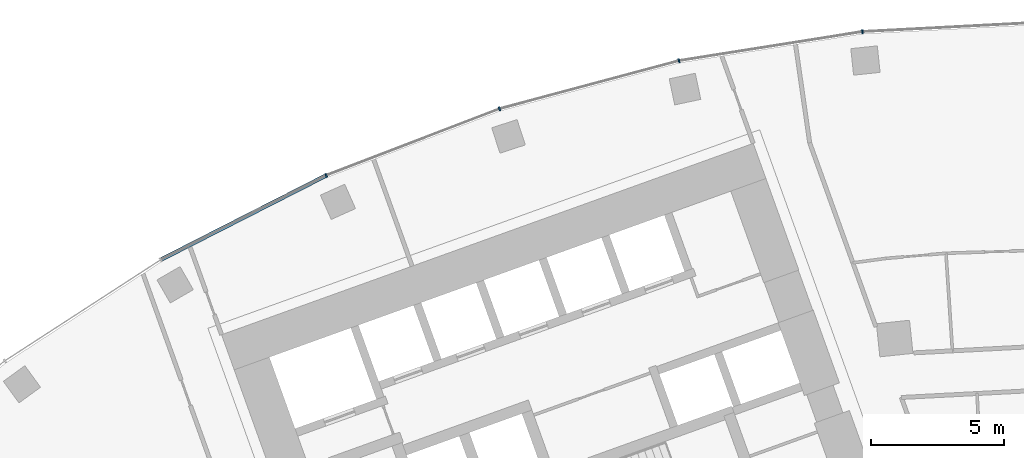
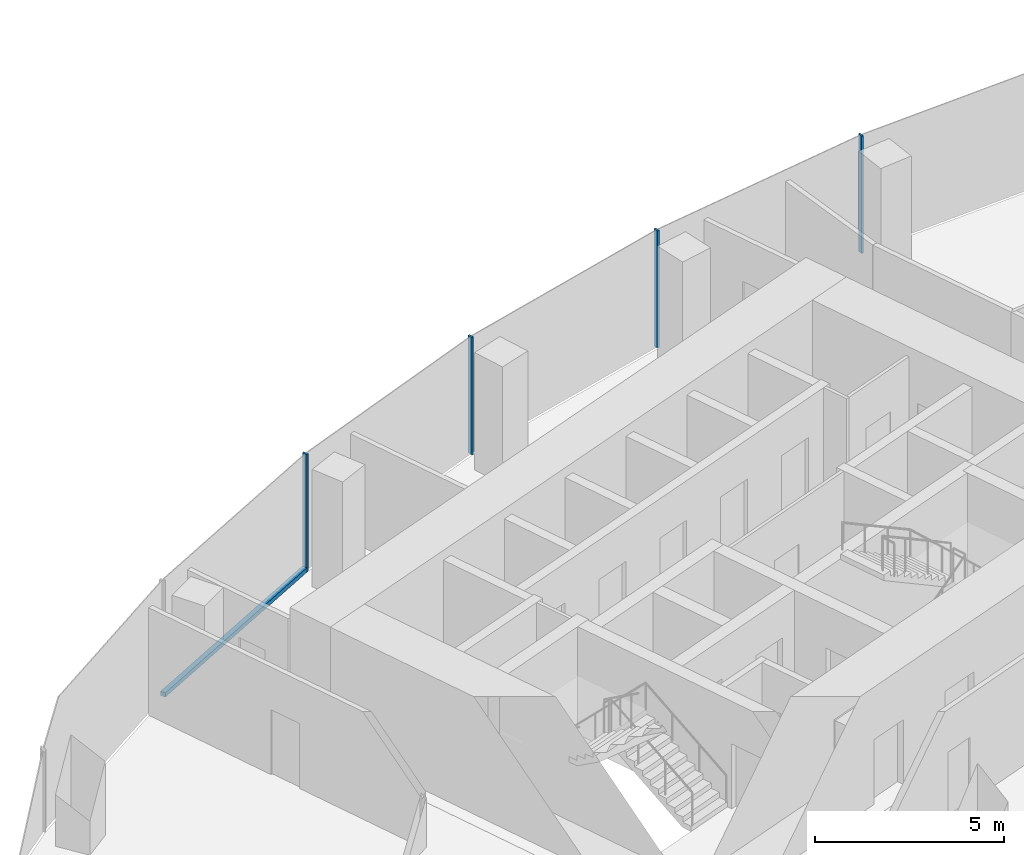
# One storey, part 6 of 21: 5 members, 1 element without a shape of its own.
"""IFC4 building model written with IfcOpenShell, lengths in metres."""

from ifc_helpers import new_model, si_unit, direction, frame, origin, origin_2d, place, context, subcontext, project, spatial, rectangle, extrude, material, layer, layer_set, material_profile, profile_set, type_object, element, aggregate, save


model = new_model("IFC4")

# Units and contexts
model_context = context("Model", 3, precision=1e-05, world=origin(), true_north=direction((0.0, 1.0)))
body_context = subcontext(model_context, "Body", "Model", "MODEL_VIEW")
ifc_project = project(units=[si_unit("LENGTHUNIT", "METRE"), si_unit("AREAUNIT", "SQUARE_METRE"), si_unit("VOLUMEUNIT", "CUBIC_METRE"), si_unit("PLANEANGLEUNIT", "RADIAN"), si_unit("MASSUNIT", "GRAM", prefix="KILO")], contexts=[model_context])

# Site, building, storey
site_placement = place(None, origin())
site = spatial("IfcSite", under=ifc_project, at=site_placement, CompositionType="ELEMENT")
building_placement = place(site_placement, origin())
building = spatial("IfcBuilding", under=site, at=building_placement, Name="Stone Belt Terrace Tower", CompositionType="ELEMENT")
storey_placement = place(building_placement, frame((0.0, 0.0, 159.199951171875)))
storey = spatial("IfcBuildingStorey", under=building, at=storey_placement, Name="L38", CompositionType="ELEMENT", Elevation=159.199951171875)

# Curtain wall, members
ifc_material = material(Name="Aluminium 6063-T6 anodised frame", Category="aluminium")
ifc_layer = layer(ifc_material, 0.14990234375)
ifc_layer_set = layer_set([ifc_layer], Name="CW-A unitised convex-face curtain wall")
curtain_wall_type = type_object("IfcCurtainWallType", Name="CW-A unitised convex-face curtain wall", PredefinedType="NOTDEFINED", material=ifc_layer_set)
curtain_wall_placement = place(storey_placement, origin())
curtain_wall = element("IfcCurtainWall", 1, at=curtain_wall_placement, inside=storey, type_object=curtain_wall_type, Name="CW-A convex face L38", PredefinedType="NOTDEFINED")
ifc_material_profile_1 = material_profile(ifc_material, rectangle(XDim=0.14990234375, YDim=0.06005859375, at=origin_2d()), Name="Aluminium 6063-T6 60x150")
ifc_profile_set_1 = profile_set([ifc_material_profile_1], Name="Aluminium 6063-T6 anodised frame")
member_type_1 = type_object("IfcMemberType", Name="CW-A mullion 60 x 150", PredefinedType="MULLION", material=ifc_profile_set_1)
member_1_placement = place(storey_placement, frame((-6.958984375, 66.21044921875, 0.0), z_axis=(0.0, 0.0, 1.0), x_axis=(0.104528463268, -0.994521895368, 0.0)))
member_1 = element("IfcMember", 2, at=member_1_placement, type_object=member_type_1, Name="CW-A mullion 10", PredefinedType="MULLION", context=body_context, shape_type="SweptSolid", body=[
    extrude(rectangle(XDim=0.14990234375, YDim=0.06005859375, at=origin_2d()), origin(), (0.0, 0.0, 1.0), 3.800048828125),
])
member_2_placement = place(storey_placement, frame((-13.841796875, 65.120361328125, 0.0), z_axis=(0.0, 0.0, 1.0), x_axis=(0.207911690818, -0.978147600734, 0.0)))
member_2 = element("IfcMember", 3, at=member_2_placement, type_object=member_type_1, Name="CW-A mullion 11", PredefinedType="MULLION", context=body_context, shape_type="SweptSolid", body=[
    extrude(rectangle(XDim=0.14990234375, YDim=0.06005859375, at=origin_2d()), origin(), (0.0, 0.0, 1.0), 3.800048828125),
])
member_3_placement = place(storey_placement, frame((-20.57275390625, 63.316650390625, 0.0), z_axis=(0.0, 0.0, 1.0), x_axis=(0.309016994375, -0.951056516295, 0.0)))
member_3 = element("IfcMember", 4, at=member_3_placement, type_object=member_type_1, Name="CW-A mullion 12", PredefinedType="MULLION", context=body_context, shape_type="SweptSolid", body=[
    extrude(rectangle(XDim=0.14990234375, YDim=0.06005859375, at=origin_2d()), origin(), (0.0, 0.0, 1.0), 3.800048828125),
])
member_4_placement = place(storey_placement, frame((-27.07861328125, 60.8193359375, 0.0), z_axis=(0.0, 0.0, 1.0), x_axis=(0.406736643076, -0.913545457643, 0.0)))
member_4 = element("IfcMember", 5, at=member_4_placement, type_object=member_type_1, Name="CW-A mullion 13", PredefinedType="MULLION", context=body_context, shape_type="SweptSolid", body=[
    extrude(rectangle(XDim=0.14990234375, YDim=0.06005859375, at=origin_2d()), origin(), (0.0, 0.0, 1.0), 3.800048828125),
])
ifc_material_profile_2 = material_profile(ifc_material, rectangle(XDim=0.14990234375, YDim=0.139892578125, at=origin_2d()), Name="Aluminium 6063-T6 150x140")
ifc_profile_set_2 = profile_set([ifc_material_profile_2], Name="Aluminium 6063-T6 anodised frame")
member_type_2 = type_object("IfcMemberType", Name="CW-A transom 140 x 150", PredefinedType="USERDEFINED", material=ifc_profile_set_2)
member_5_placement = place(storey_placement, frame((-27.108642578125, 60.803955078125, 0.070068359375), z_axis=(-0.891012226264, -0.453979308613, 0.0), x_axis=(0.453979308613, -0.891012226264, 0.0)))
member_5 = element("IfcMember", 6, at=member_5_placement, type_object=member_type_2, Name="CW-A transom 13.1", ObjectType="TRANSOM", PredefinedType="USERDEFINED", context=body_context, shape_type="SweptSolid", body=[
    extrude(rectangle(XDim=0.14990234375, YDim=0.139892578125, at=origin_2d()), origin(), (0.0, 0.0, 1.0), 6.90087890625),
])
aggregate(curtain_wall, [member_1, member_2, member_3, member_4, member_5])

save(model, "model.ifc")
